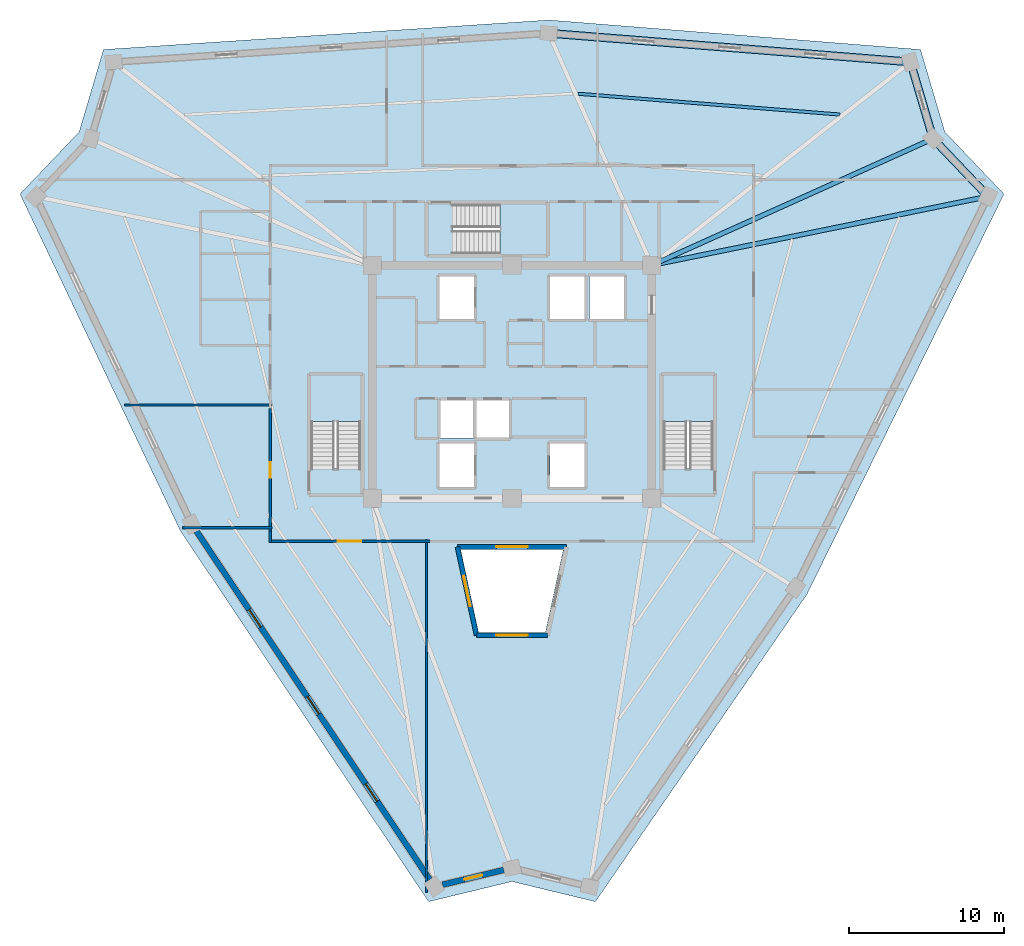
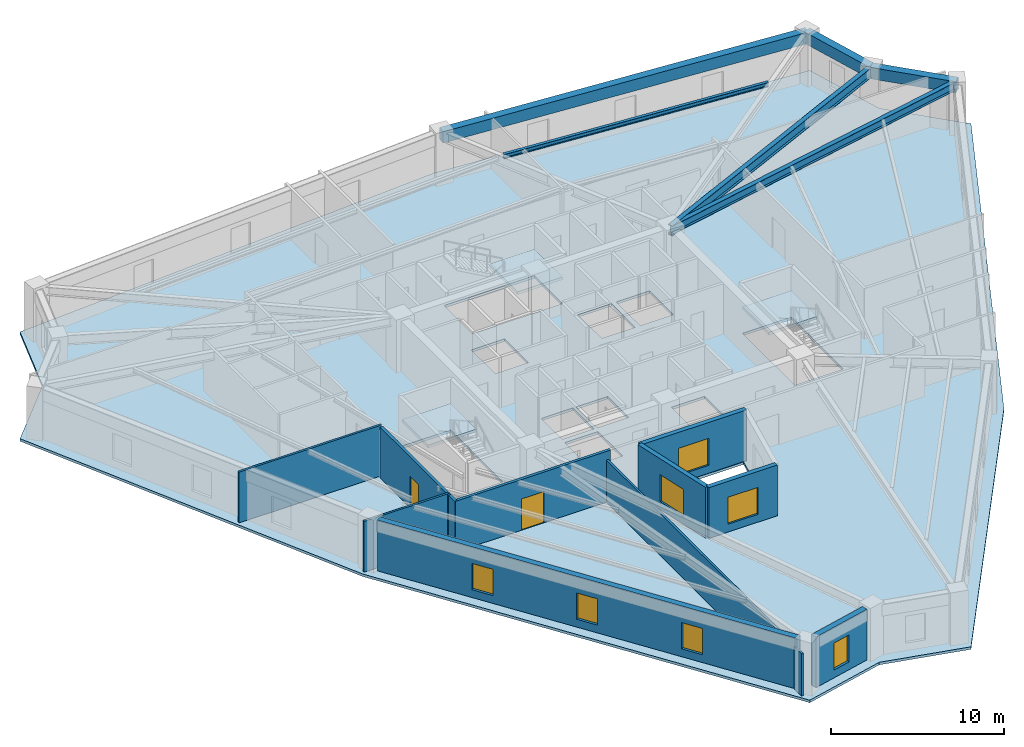
# One storey, part 2 of 8: 11 walls, 7 windows, 6 beams, 4 slabs, 2 doors, 9 openings, 3 elements without a shape of their own.
"""IFC4 building model written with IfcOpenShell, lengths in metres."""

from ifc_helpers import new_model, si_unit, direction, frame, frame_2d, origin, origin_2d, place, context, subcontext, project, spatial, polyline, rectangle, i_section, outline, extrude, source, transform, mapped, material, layer, layer_set, material_profile, profile_set, type_object, element, fill, aggregate, save


model = new_model("IFC4")

# Units and contexts
model_context = context("Model", 3, precision=1e-05, world=origin(), true_north=direction((0.0, 1.0)))
body_context = subcontext(model_context, "Body", "Model", "MODEL_VIEW")
ifc_project = project(units=[si_unit("LENGTHUNIT", "METRE"), si_unit("AREAUNIT", "SQUARE_METRE"), si_unit("VOLUMEUNIT", "CUBIC_METRE"), si_unit("PLANEANGLEUNIT", "RADIAN"), si_unit("MASSUNIT", "GRAM", prefix="KILO")], contexts=[model_context])

# Site, building, storey
site_placement = place(None, origin())
site = spatial("IfcSite", under=ifc_project, at=site_placement, CompositionType="ELEMENT")
building_placement = place(site_placement, origin())
building = spatial("IfcBuilding", under=site, at=building_placement, Name="Liaohun Quay Tower", CompositionType="ELEMENT")
storey_placement = place(building_placement, frame((0.0, 0.0, 290.25)))
storey = spatial("IfcBuildingStorey", under=building, at=storey_placement, Name="L75", CompositionType="ELEMENT", Elevation=290.25)

# Beams
ifc_material_1 = material(Name="Steel Q355D", Category="steel")
ifc_material_profile_1 = material_profile(ifc_material_1, i_section(OverallWidth=0.300048828125, OverallDepth=0.699951171875, WebThickness=0.012939453125, FlangeThickness=0.02392578125, at=origin_2d()), Name="HN700x300x13x24")
ifc_profile_set_1 = profile_set([ifc_material_profile_1], Name="Steel Q355D")
beam_type_1 = type_object("IfcBeamType", Name="BM-RAD-U1", PredefinedType="BEAM", material=ifc_profile_set_1)
shared_shape_1 = source(origin(), body_context, "Body", "SweptSolid", [
    extrude(i_section(OverallWidth=0.300048828125, OverallDepth=0.699951171875, WebThickness=0.012939453125, FlangeThickness=0.02392578125, at=origin_2d()), origin(), (0.0, 0.0, 1.0), 19.843994140625),
])
beam_1_placement = place(storey_placement, frame((69.0, 61.5, 3.219970703125), z_axis=(0.911905160232, 0.410400997491, 0.0), x_axis=(-0.410400997491, 0.911905160232, 0.0)))
element("IfcBeam", 1, at=beam_1_placement, inside=storey, type_object=beam_type_1, Name="L75 Radial Primary Girder CC4-PC08", PredefinedType="BEAM", context=body_context, shape_type="MappedRepresentation", body=[
    mapped(shared_shape_1, transform((0.0, 0.0, 0.0), x_axis=(1.0, 0.0, 0.0), y_axis=(0.0, 1.0, 0.0), z_axis=(0.0, 0.0, 1.0), scale=1.0)),
])
ifc_material_profile_2 = material_profile(ifc_material_1, i_section(OverallWidth=0.300048828125, OverallDepth=0.587890625, WebThickness=0.011962890625, FlangeThickness=0.02001953125, at=origin_2d()), Name="HM588x300x12x20")
ifc_profile_set_2 = profile_set([ifc_material_profile_2], Name="Steel Q355D")
beam_type_2 = type_object("IfcBeamType", Name="BM-RAD-U2", PredefinedType="BEAM", material=ifc_profile_set_2)
shared_shape_2 = source(origin(), body_context, "Body", "SweptSolid", [
    extrude(i_section(OverallWidth=0.300048828125, OverallDepth=0.587890625, WebThickness=0.011962890625, FlangeThickness=0.02001953125, at=origin_2d()), origin(), (0.0, 0.0, 1.0), 22.08447265625),
])
beam_2_placement = place(storey_placement, frame((69.0, 61.5, 3.27587890625), z_axis=(0.979738454823, 0.200281202663, 0.0), x_axis=(-0.200281202663, 0.979738454823, 0.0)))
element("IfcBeam", 2, at=beam_2_placement, inside=storey, type_object=beam_type_2, Name="L75 Radial Primary Girder CC4-PC09", PredefinedType="BEAM", context=body_context, shape_type="MappedRepresentation", body=[
    mapped(shared_shape_2, transform((0.0, 0.0, 0.0), x_axis=(1.0, 0.0, 0.0), y_axis=(0.0, 1.0, 0.0), z_axis=(0.0, 0.0, 1.0), scale=1.0)),
])
ifc_material_profile_3 = material_profile(ifc_material_1, i_section(OverallWidth=0.199951171875, OverallDepth=0.2939453125, WebThickness=0.008056640625, FlangeThickness=0.011962890625, at=origin_2d()), Name="HM294x200x8x12")
ifc_profile_set_3 = profile_set([ifc_material_profile_3], Name="Steel Q355D")
beam_type_3 = type_object("IfcBeamType", Name="BM-SEC-J4", PredefinedType="JOIST", material=ifc_profile_set_3)
shared_shape_3 = source(origin(), body_context, "Body", "SweptSolid", [
    extrude(i_section(OverallWidth=0.199951171875, OverallDepth=0.2939453125, WebThickness=0.008056640625, FlangeThickness=0.011962890625, at=origin_2d()), origin(), (0.0, 0.0, 1.0), 16.889892578125),
])
beam_3_placement = place(storey_placement, frame((64.257080078125, 72.531982421875, 3.423095703125), z_axis=(0.996862351768, -0.079154605856, 0.0), x_axis=(0.079154605856, 0.996862351768, 0.0)))
element("IfcBeam", 3, at=beam_3_placement, inside=storey, type_object=beam_type_3, Name="L75 Wing Secondary Floor Joist SJ-09", PredefinedType="JOIST", context=body_context, shape_type="MappedRepresentation", body=[
    mapped(shared_shape_3, transform((0.0, 0.0, 0.0), x_axis=(1.0, 0.0, 0.0), y_axis=(0.0, 1.0, 0.0), z_axis=(0.0, 0.0, 1.0), scale=1.0)),
])
ifc_material_2 = material(Name="Precast concrete C50", Category="concrete")
ifc_material_profile_4 = material_profile(ifc_material_2, rectangle(XDim=0.5, YDim=0.800048828125, at=origin_2d()), Name="RC500x800")
ifc_profile_set_4 = profile_set([ifc_material_profile_4], Name="Precast concrete C50")
beam_type_4 = type_object("IfcBeamType", Name="BM-SPD-Z4", PredefinedType="SPANDREL", material=ifc_profile_set_4)
shared_shape_4 = source(origin(), body_context, "Body", "SweptSolid", [
    extrude(rectangle(XDim=0.5, YDim=0.800048828125, at=origin_2d()), origin(), (0.0, 0.0, 1.0), 23.354248046875),
])
beam_4_placement = place(storey_placement, frame((62.360107421875, 76.427001953125, 3.169921875), z_axis=(0.99686058787, -0.079176817002, 0.0), x_axis=(0.079176817002, 0.99686058787, 0.0)))
element("IfcBeam", 4, at=beam_4_placement, inside=storey, type_object=beam_type_4, Name="L75 Precast Spandrel Beam PC06-PC07", PredefinedType="SPANDREL", context=body_context, shape_type="MappedRepresentation", body=[
    mapped(shared_shape_4, transform((0.0, 0.0, 0.0), x_axis=(1.0, 0.0, 0.0), y_axis=(0.0, 1.0, 0.0), z_axis=(0.0, 0.0, 1.0), scale=1.0)),
])
shared_shape_5 = source(origin(), body_context, "Body", "SweptSolid", [
    extrude(rectangle(XDim=0.5, YDim=0.800048828125, at=origin_2d()), origin(), (0.0, 0.0, 1.0), 5.143798828125),
])
beam_5_placement = place(storey_placement, frame((85.64111328125, 74.577880859375, 3.169921875), z_axis=(0.282829220503, -0.959170283125, 0.0), x_axis=(0.959170283125, 0.282829220503, 0.0)))
element("IfcBeam", 5, at=beam_5_placement, inside=storey, type_object=beam_type_4, Name="L75 Precast Spandrel Beam PC07-PC08", PredefinedType="SPANDREL", context=body_context, shape_type="MappedRepresentation", body=[
    mapped(shared_shape_5, transform((0.0, 0.0, 0.0), x_axis=(1.0, 0.0, 0.0), y_axis=(0.0, 1.0, 0.0), z_axis=(0.0, 0.0, 1.0), scale=1.0)),
])
shared_shape_6 = source(origin(), body_context, "Body", "SweptSolid", [
    extrude(rectangle(XDim=0.5, YDim=0.800048828125, at=origin_2d()), origin(), (0.0, 0.0, 1.0), 5.136474609375),
])
beam_6_placement = place(storey_placement, frame((87.095947265625, 69.64404296875, 3.169921875), z_axis=(0.689375027306, -0.724404632596, 0.0), x_axis=(0.724404632596, 0.689375027306, 0.0)))
element("IfcBeam", 6, at=beam_6_placement, inside=storey, type_object=beam_type_4, Name="L75 Precast Spandrel Beam PC08-PC09", PredefinedType="SPANDREL", context=body_context, shape_type="MappedRepresentation", body=[
    mapped(shared_shape_6, transform((0.0, 0.0, 0.0), x_axis=(1.0, 0.0, 0.0), y_axis=(0.0, 1.0, 0.0), z_axis=(0.0, 0.0, 1.0), scale=1.0)),
])

# Stair, slab
ifc_material_3 = material(Name="Concrete C45", Category="concrete")
stair_type = type_object("IfcStairType", Name="STR-CORE-OFF", PredefinedType="HALF_TURN_STAIR", material=ifc_material_3)
stair_1_placement = place(storey_placement, origin())
stair_1 = element("IfcStair", 7, at=stair_1_placement, inside=storey, type_object=stair_type, Name="L75 Smokeproof Core Exit Stair ST-1", PredefinedType="HALF_TURN_STAIR")
ifc_layer_1 = layer(ifc_material_3, 0.199951171875, Name="Concrete C45", Category="concrete")
ifc_layer_set_1 = layer_set([ifc_layer_1], Name="Concrete C45")
slab_type_1 = type_object("IfcSlabType", Name="SLB-LND-200", PredefinedType="LANDING", material=ifc_layer_set_1)
slab_1_placement = place(storey_placement, frame((0.0, 0.0, 1.675048828125)))
slab_1 = element("IfcSlab", 8, at=slab_1_placement, type_object=slab_type_1, Name="ST-1 landing 1", PredefinedType="LANDING", context=body_context, shape_type="SweptSolid", body=[
    extrude(outline(polyline([(50.280029296875, 51.429931640625), (50.280029296875, 54.419921875), (47.0400390625, 54.419921875), (47.0400390625, 51.429931640625), (50.280029296875, 51.429931640625)])), origin(), (0.0, 0.0, 1.0), 0.199951171875),
])
aggregate(stair_1, [slab_1])

stair_2_placement = place(storey_placement, origin())
stair_2 = element("IfcStair", 9, at=stair_2_placement, inside=storey, type_object=stair_type, Name="L75 Smokeproof Core Exit Stair ST-2", PredefinedType="HALF_TURN_STAIR")
slab_2_placement = place(storey_placement, frame((0.0, 0.0, 1.675048828125)))
slab_2 = element("IfcSlab", 10, at=slab_2_placement, type_object=slab_type_1, Name="ST-2 landing 1", PredefinedType="LANDING", context=body_context, shape_type="SweptSolid", body=[
    extrude(outline(polyline([(72.9599609375, 51.429931640625), (72.9599609375, 54.419921875), (69.719970703125, 54.419921875), (69.719970703125, 51.429931640625), (72.9599609375, 51.429931640625)])), origin(), (0.0, 0.0, 1.0), 0.199951171875),
])
aggregate(stair_2, [slab_2])

stair_3_placement = place(storey_placement, origin())
stair_3 = element("IfcStair", 11, at=stair_3_placement, inside=storey, type_object=stair_type, Name="L75 Smokeproof Core Exit Stair ST-3", PredefinedType="HALF_TURN_STAIR")
slab_3_placement = place(storey_placement, frame((0.0, 0.0, 1.675048828125)))
slab_3 = element("IfcSlab", 12, at=slab_3_placement, type_object=slab_type_1, Name="ST-3 landing 1", PredefinedType="LANDING", context=body_context, shape_type="SweptSolid", body=[
    extrude(outline(polyline([(59.22998046875, 62.199951171875), (62.219970703125, 62.199951171875), (62.219970703125, 65.43994140625), (59.22998046875, 65.43994140625), (59.22998046875, 62.199951171875)])), origin(), (0.0, 0.0, 1.0), 0.199951171875),
])
aggregate(stair_3, [slab_3])

# Slab
ifc_layer_2 = layer(ifc_material_3, 0.179931640625, Name="Concrete C45", Category="concrete")
ifc_layer_set_2 = layer_set([ifc_layer_2], Name="Concrete C45")
slab_type_2 = type_object("IfcSlabType", Name="SLB-OFF-180", PredefinedType="FLOOR", material=ifc_layer_set_2)
slab_4_placement = place(storey_placement, frame((0.0, 0.0, -0.179931640625)))
element("IfcSlab", 13, at=slab_4_placement, inside=storey, type_object=slab_type_2, Name="L75 Structural Floor Slab", PredefinedType="FLOOR", context=body_context, shape_type="SweptSolid", body=[
    extrude(outline(polyline([(54.631103515625, 20.5419921875), (60.0, 21.837890625), (65.368896484375, 20.5419921875), (78.97705078125, 40.31103515625), (91.660888671875, 66.0791015625), (87.85302734375, 70.0810546875), (86.291015625, 75.37890625), (62.365966796875, 77.279052734375), (33.708984375, 75.37890625), (32.14697265625, 70.0810546875), (28.339111328125, 66.0791015625), (38.656005859375, 44.409912109375), (54.631103515625, 20.5419921875)]), holes=[polyline([(57.56005859375, 50.030029296875), (55.340087890625, 50.030029296875), (55.340087890625, 47.2099609375), (57.56005859375, 47.2099609375), (57.56005859375, 50.030029296875)]), polyline([(47.0400390625, 54.419921875), (47.0400390625, 48.409912109375), (50.280029296875, 48.409912109375), (50.280029296875, 54.419921875), (47.0400390625, 54.419921875)]), polyline([(57.510009765625, 52.81005859375), (55.389892578125, 52.81005859375), (55.389892578125, 50.389892578125), (57.510009765625, 50.389892578125), (57.510009765625, 52.81005859375)]), polyline([(59.81005859375, 50.389892578125), (59.81005859375, 52.81005859375), (57.68994140625, 52.81005859375), (57.68994140625, 50.389892578125), (59.81005859375, 50.389892578125)]), polyline([(57.56005859375, 58.0400390625), (57.56005859375, 60.7900390625), (55.340087890625, 60.7900390625), (55.340087890625, 58.0400390625), (57.56005859375, 58.0400390625)]), polyline([(62.219970703125, 65.43994140625), (56.2099609375, 65.43994140625), (56.2099609375, 62.199951171875), (62.219970703125, 62.199951171875), (62.219970703125, 65.43994140625)]), polyline([(62.14599609375, 37.85498046875), (63.301025390625, 43.199951171875), (56.698974609375, 43.199951171875), (57.85400390625, 37.85498046875), (62.14599609375, 37.85498046875)]), polyline([(64.659912109375, 47.2099609375), (64.659912109375, 50.030029296875), (62.43994140625, 50.030029296875), (62.43994140625, 47.2099609375), (64.659912109375, 47.2099609375)]), polyline([(69.719970703125, 54.419921875), (69.719970703125, 48.409912109375), (72.9599609375, 48.409912109375), (72.9599609375, 54.419921875), (69.719970703125, 54.419921875)]), polyline([(64.659912109375, 58.0400390625), (64.659912109375, 60.7900390625), (62.43994140625, 60.7900390625), (62.43994140625, 58.0400390625), (64.659912109375, 58.0400390625)]), polyline([(67.2099609375, 58.0400390625), (67.2099609375, 60.7900390625), (64.989990234375, 60.7900390625), (64.989990234375, 58.0400390625), (67.2099609375, 58.0400390625)])]), origin(), (0.0, 0.0, 1.0), 0.179931640625),
])

# Wall, opening, window
ifc_material_4 = material(Name="Concrete C50", Category="concrete")
ifc_layer_3 = layer(ifc_material_4, 0.300048828125, Name="Concrete C50", Category="concrete")
ifc_layer_set_3 = layer_set([ifc_layer_3], Name="Concrete C50")
wall_type_1 = type_object("IfcWallType", Name="WAL-ATR-300", PredefinedType="SOLIDWALL", material=ifc_layer_set_3)
wall_1_placement = place(storey_placement, frame((57.717041015625, 37.68505859375, 0.0), z_axis=(0.0, 0.0, 1.0), x_axis=(-0.211300278916, 0.977421194844, 0.0)))
wall_1 = element("IfcWall", 14, at=wall_1_placement, inside=storey, type_object=wall_type_1, Name="L75 Atrium Fire Compartment Wall 1", PredefinedType="SOLIDWALL", context=body_context, shape_type="SweptSolid", body=[
    extrude(rectangle(XDim=5.81640625, YDim=0.300048828125, at=frame_2d((2.908203125, 0.0))), origin(), (0.0, 0.0, 1.0), 3.570068359375),
])
shared_shape_7 = source(origin(), body_context, "Body", "SweptSolid", [
    extrude(rectangle(XDim=2.0, YDim=1.89990234375, at=frame_2d((1.0, 0.949951171875))), frame((0.0, 0.159912109375, 0.0), z_axis=(0.0, -1.0, 0.0), x_axis=(1.0, 0.0, 0.0)), (0.0, 0.0, 1.0), 0.320068359375),
])
opening_1_placement = place(wall_1_placement, frame((1.907958984375, 0.0, 0.550048828125)))
opening_1 = element("IfcOpeningElement", 15, at=opening_1_placement, cuts=wall_1, Name="Opening W07", PredefinedType="OPENING", context=body_context, shape_type="MappedRepresentation", body=[
    mapped(shared_shape_7, transform((0.0, 0.0, 0.0), x_axis=(1.0, 0.0, 0.0), y_axis=(0.0, 1.0, 0.0), z_axis=(0.0, 0.0, 1.0), scale=1.0)),
])
ifc_material_5 = material(Name="Class A 180-min fire-resistant insulated glazing", Category="glass")
window_type_1 = type_object("IfcWindowType", Name="WIN-ATR-FIR", PartitioningType="DOUBLE_PANEL_VERTICAL", PredefinedType="WINDOW", material=ifc_material_5)
shared_shape_8 = source(origin(), body_context, "Body", "SweptSolid", [
    extrude(rectangle(XDim=2.0, YDim=1.89990234375, at=frame_2d((1.0, 0.949951171875))), frame((0.0, 0.030029296875, 0.0), z_axis=(0.0, -1.0, 0.0), x_axis=(1.0, 0.0, 0.0)), (0.0, 0.0, 1.0), 0.06005859375),
])
window_1_placement = place(opening_1_placement, origin())
window_1 = element("IfcWindow", 16, at=window_1_placement, inside=storey, type_object=window_type_1, Name="L75 Atrium Fire-Resistant Glazing W07-1", OverallHeight=1.89990234375, OverallWidth=2.0, PartitioningType="DOUBLE_PANEL_VERTICAL", PredefinedType="WINDOW", context=body_context, shape_type="MappedRepresentation", body=[
    mapped(shared_shape_8, transform((0.0, 0.0, 0.0), x_axis=(1.0, 0.0, 0.0), y_axis=(0.0, 1.0, 0.0), z_axis=(0.0, 0.0, 1.0), scale=1.0)),
])
fill(opening_1, window_1)

wall_2_placement = place(storey_placement, frame((56.488037109375, 43.3701171875, 0.0), z_axis=(0.0, 0.0, 1.0), x_axis=(1.0, 0.0, 0.0)))
wall_2 = element("IfcWall", 17, at=wall_2_placement, inside=storey, type_object=wall_type_1, Name="L75 Atrium Fire Compartment Wall 2", PredefinedType="SOLIDWALL", context=body_context, shape_type="SweptSolid", body=[
    extrude(rectangle(XDim=7.02392578125, YDim=0.300048828125, at=frame_2d((3.511962890625, 0.0))), origin(), (0.0, 0.0, 1.0), 3.570068359375),
])
opening_2_placement = place(wall_2_placement, frame((2.511962890625, 0.0, 0.550048828125)))
opening_2 = element("IfcOpeningElement", 18, at=opening_2_placement, cuts=wall_2, Name="Opening W07", PredefinedType="OPENING", context=body_context, shape_type="MappedRepresentation", body=[
    mapped(shared_shape_7, transform((0.0, 0.0, 0.0), x_axis=(1.0, 0.0, 0.0), y_axis=(0.0, 1.0, 0.0), z_axis=(0.0, 0.0, 1.0), scale=1.0)),
])
window_2_placement = place(opening_2_placement, origin())
window_2 = element("IfcWindow", 19, at=window_2_placement, inside=storey, type_object=window_type_1, Name="L75 Atrium Fire-Resistant Glazing W07-2", OverallHeight=1.89990234375, OverallWidth=2.0, PartitioningType="DOUBLE_PANEL_VERTICAL", PredefinedType="WINDOW", context=body_context, shape_type="MappedRepresentation", body=[
    mapped(shared_shape_8, transform((0.0, 0.0, 0.0), x_axis=(1.0, 0.0, 0.0), y_axis=(0.0, 1.0, 0.0), z_axis=(0.0, 0.0, 1.0), scale=1.0)),
])
fill(opening_2, window_2)

wall_3_placement = place(storey_placement, frame((62.282958984375, 37.68505859375, 0.0), z_axis=(0.0, 0.0, 1.0), x_axis=(-1.0, 0.0, 0.0)))
wall_3 = element("IfcWall", 20, at=wall_3_placement, inside=storey, type_object=wall_type_1, Name="L75 Atrium Fire Compartment Wall 4", PredefinedType="SOLIDWALL", context=body_context, shape_type="SweptSolid", body=[
    extrude(rectangle(XDim=4.56591796875, YDim=0.300048828125, at=frame_2d((2.282958984375, 0.0))), origin(), (0.0, 0.0, 1.0), 3.570068359375),
])
opening_3_placement = place(wall_3_placement, frame((1.282958984375, 0.0, 0.550048828125)))
opening_3 = element("IfcOpeningElement", 21, at=opening_3_placement, cuts=wall_3, Name="Opening W07", PredefinedType="OPENING", context=body_context, shape_type="MappedRepresentation", body=[
    mapped(shared_shape_7, transform((0.0, 0.0, 0.0), x_axis=(1.0, 0.0, 0.0), y_axis=(0.0, 1.0, 0.0), z_axis=(0.0, 0.0, 1.0), scale=1.0)),
])
window_3_placement = place(opening_3_placement, origin())
window_3 = element("IfcWindow", 22, at=window_3_placement, inside=storey, type_object=window_type_1, Name="L75 Atrium Fire-Resistant Glazing W07-4", OverallHeight=1.89990234375, OverallWidth=2.0, PartitioningType="DOUBLE_PANEL_VERTICAL", PredefinedType="WINDOW", context=body_context, shape_type="MappedRepresentation", body=[
    mapped(shared_shape_8, transform((0.0, 0.0, 0.0), x_axis=(1.0, 0.0, 0.0), y_axis=(0.0, 1.0, 0.0), z_axis=(0.0, 0.0, 1.0), scale=1.0)),
])
fill(opening_3, window_3)

# Wall, openings, windows
ifc_material_6 = material(Name="Precast concrete C50 insulated sandwich", Category="concrete")
ifc_layer_4 = layer(ifc_material_6, 0.3798828125, Name="Precast concrete C50 insulated sandwich", Category="concrete")
ifc_layer_set_4 = layer_set([ifc_layer_4], Name="Precast concrete C50 insulated sandwich")
wall_type_2 = type_object("IfcWallType", Name="WAL-EXT-Z34", PredefinedType="SOLIDWALL", material=ifc_layer_set_4)
wall_4_placement = place(storey_placement, frame((39.697021484375, 44.382080078125, 0.0), z_axis=(0.0, 0.0, 1.0), x_axis=(0.556246250685, -0.831017514014, 0.0)))
wall_4 = element("IfcWall", 23, at=wall_4_placement, inside=storey, type_object=wall_type_2, Name="L75 Brutalist Precast Pier Wall 11", PredefinedType="SOLIDWALL", context=body_context, shape_type="SweptSolid", body=[
    extrude(rectangle(XDim=26.986328125, YDim=0.3798828125, at=frame_2d((13.4931640625, 0.0))), origin(), (0.0, 0.0, 1.0), 3.570068359375),
])
shared_shape_9 = source(origin(), body_context, "Body", "SweptSolid", [
    extrude(rectangle(XDim=1.35009765625, YDim=1.85009765625, at=frame_2d((0.675048828125, 0.925048828125))), frame((0.0, 0.199951171875, 0.0), z_axis=(0.0, -1.0, 0.0), x_axis=(1.0, 0.0, 0.0)), (0.0, 0.0, 1.0), 0.39990234375),
])
opening_4_placement = place(wall_4_placement, frame((6.072021484375, 0.0, 0.550048828125)))
opening_4 = element("IfcOpeningElement", 24, at=opening_4_placement, cuts=wall_4, Name="Opening W04", PredefinedType="OPENING", context=body_context, shape_type="MappedRepresentation", body=[
    mapped(shared_shape_9, transform((0.0, 0.0, 0.0), x_axis=(1.0, 0.0, 0.0), y_axis=(0.0, 1.0, 0.0), z_axis=(0.0, 0.0, 1.0), scale=1.0)),
])
opening_5_placement = place(wall_4_placement, frame((12.818115234375, 0.0, 0.550048828125)))
opening_5 = element("IfcOpeningElement", 25, at=opening_5_placement, cuts=wall_4, Name="Opening W04", PredefinedType="OPENING", context=body_context, shape_type="MappedRepresentation", body=[
    mapped(shared_shape_9, transform((0.0, 0.0, 0.0), x_axis=(1.0, 0.0, 0.0), y_axis=(0.0, 1.0, 0.0), z_axis=(0.0, 0.0, 1.0), scale=1.0)),
])
opening_6_placement = place(wall_4_placement, frame((19.56494140625, 0.0, 0.550048828125)))
opening_6 = element("IfcOpeningElement", 26, at=opening_6_placement, cuts=wall_4, Name="Opening W04", PredefinedType="OPENING", context=body_context, shape_type="MappedRepresentation", body=[
    mapped(shared_shape_9, transform((0.0, 0.0, 0.0), x_axis=(1.0, 0.0, 0.0), y_axis=(0.0, 1.0, 0.0), z_axis=(0.0, 0.0, 1.0), scale=1.0)),
])
ifc_material_7 = material(Name="Triple Low-E argon glazing in thermally broken aluminium", Category="aluminium")
window_type_2 = type_object("IfcWindowType", Name="WIN-PUN-Z4", PartitioningType="SINGLE_PANEL", PredefinedType="WINDOW", material=ifc_material_7)
shared_shape_10 = source(origin(), body_context, "Body", "SweptSolid", [
    extrude(rectangle(XDim=1.35009765625, YDim=1.85009765625, at=frame_2d((0.675048828125, 0.925048828125))), frame((0.0, 0.030029296875, 0.0), z_axis=(0.0, -1.0, 0.0), x_axis=(1.0, 0.0, 0.0)), (0.0, 0.0, 1.0), 0.06005859375),
])
window_4_placement = place(opening_4_placement, origin())
window_4 = element("IfcWindow", 27, at=window_4_placement, inside=storey, type_object=window_type_2, Name="L75 Recessed Cold-Climate Punched Window 11-1", OverallHeight=1.85009765625, OverallWidth=1.35009765625, PartitioningType="SINGLE_PANEL", PredefinedType="WINDOW", context=body_context, shape_type="MappedRepresentation", body=[
    mapped(shared_shape_10, transform((0.0, 0.0, 0.0), x_axis=(1.0, 0.0, 0.0), y_axis=(0.0, 1.0, 0.0), z_axis=(0.0, 0.0, 1.0), scale=1.0)),
])
fill(opening_4, window_4)
window_5_placement = place(opening_5_placement, origin())
window_5 = element("IfcWindow", 28, at=window_5_placement, inside=storey, type_object=window_type_2, Name="L75 Recessed Cold-Climate Punched Window 11-2", OverallHeight=1.85009765625, OverallWidth=1.35009765625, PartitioningType="SINGLE_PANEL", PredefinedType="WINDOW", context=body_context, shape_type="MappedRepresentation", body=[
    mapped(shared_shape_10, transform((0.0, 0.0, 0.0), x_axis=(1.0, 0.0, 0.0), y_axis=(0.0, 1.0, 0.0), z_axis=(0.0, 0.0, 1.0), scale=1.0)),
])
fill(opening_5, window_5)
window_6_placement = place(opening_6_placement, origin())
window_6 = element("IfcWindow", 29, at=window_6_placement, inside=storey, type_object=window_type_2, Name="L75 Recessed Cold-Climate Punched Window 11-3", OverallHeight=1.85009765625, OverallWidth=1.35009765625, PartitioningType="SINGLE_PANEL", PredefinedType="WINDOW", context=body_context, shape_type="MappedRepresentation", body=[
    mapped(shared_shape_10, transform((0.0, 0.0, 0.0), x_axis=(1.0, 0.0, 0.0), y_axis=(0.0, 1.0, 0.0), z_axis=(0.0, 0.0, 1.0), scale=1.0)),
])
fill(opening_6, window_6)

# Wall, opening, window
wall_5_placement = place(storey_placement, frame((55.532958984375, 21.634033203125, 0.0), z_axis=(0.0, 0.0, 1.0), x_axis=(0.972117237932, 0.234495363953, 0.0)))
wall_5 = element("IfcWall", 30, at=wall_5_placement, inside=storey, type_object=wall_type_2, Name="L75 Brutalist Precast Pier Wall 12", PredefinedType="SOLIDWALL", context=body_context, shape_type="SweptSolid", body=[
    extrude(rectangle(XDim=4.05517578125, YDim=0.3798828125, at=frame_2d((2.027587890625, 0.0))), origin(), (0.0, 0.0, 1.0), 3.570068359375),
])
shared_shape_11 = source(origin(), body_context, "Body", "SweptSolid", [
    extrude(rectangle(XDim=1.199951171875, YDim=1.89990234375, at=frame_2d((0.60009765625, 0.949951171875))), frame((0.0, 0.199951171875, 0.0), z_axis=(0.0, -1.0, 0.0), x_axis=(1.0, 0.0, 0.0)), (0.0, 0.0, 1.0), 0.39990234375),
])
opening_7_placement = place(wall_5_placement, frame((1.427978515625, 0.0, 0.550048828125)))
opening_7 = element("IfcOpeningElement", 31, at=opening_7_placement, cuts=wall_5, Name="Opening W05", PredefinedType="OPENING", context=body_context, shape_type="MappedRepresentation", body=[
    mapped(shared_shape_11, transform((0.0, 0.0, 0.0), x_axis=(1.0, 0.0, 0.0), y_axis=(0.0, 1.0, 0.0), z_axis=(0.0, 0.0, 1.0), scale=1.0)),
])
ifc_material_8 = material(Name="Triple Low-E corner notch glazing", Category="glass")
window_type_3 = type_object("IfcWindowType", Name="WIN-NOTCH", PartitioningType="SINGLE_PANEL", PredefinedType="WINDOW", material=ifc_material_8)
shared_shape_12 = source(origin(), body_context, "Body", "SweptSolid", [
    extrude(rectangle(XDim=1.199951171875, YDim=1.89990234375, at=frame_2d((0.60009765625, 0.949951171875))), frame((0.0, 0.030029296875, 0.0), z_axis=(0.0, -1.0, 0.0), x_axis=(1.0, 0.0, 0.0)), (0.0, 0.0, 1.0), 0.06005859375),
])
window_7_placement = place(opening_7_placement, origin())
window_7 = element("IfcWindow", 32, at=window_7_placement, inside=storey, type_object=window_type_3, Name="L75 Corner Notch Window W05-12", OverallHeight=1.89990234375, OverallWidth=1.199951171875, PartitioningType="SINGLE_PANEL", PredefinedType="WINDOW", context=body_context, shape_type="MappedRepresentation", body=[
    mapped(shared_shape_12, transform((0.0, 0.0, 0.0), x_axis=(1.0, 0.0, 0.0), y_axis=(0.0, 1.0, 0.0), z_axis=(0.0, 0.0, 1.0), scale=1.0)),
])
fill(opening_7, window_7)

# Wall, opening, door
ifc_material_9 = material(Name="Autoclaved aerated concrete blockwork", Category="masonry")
ifc_layer_5 = layer(ifc_material_9, 0.179931640625, Name="Autoclaved aerated concrete blockwork", Category="masonry")
ifc_layer_set_5 = layer_set([ifc_layer_5], Name="Autoclaved aerated concrete blockwork")
wall_type_3 = type_object("IfcWallType", Name="WAL-PRT-COR", PredefinedType="PARTITIONING", material=ifc_layer_set_5)
wall_6_placement = place(storey_placement, frame((44.43994140625, 44.385009765625, 0.0), z_axis=(0.0, 0.0, 1.0), x_axis=(0.0, 1.0, 0.0)))
wall_6 = element("IfcWall", 33, at=wall_6_placement, inside=storey, type_object=wall_type_3, Name="L75 Interior Partition Wall 024", PredefinedType="PARTITIONING", context=body_context, shape_type="SweptSolid", body=[
    extrude(rectangle(XDim=7.89990234375, YDim=0.179931640625, at=frame_2d((3.949951171875, 0.0))), origin(), (0.0, 0.0, 1.0), 3.570068359375),
])
shared_shape_13 = source(origin(), body_context, "Body", "SweptSolid", [
    extrude(rectangle(XDim=1.0, YDim=2.199951171875, at=frame_2d((0.5, 1.10009765625))), frame((0.0, 0.099853515625, 0.0), z_axis=(0.0, -1.0, 0.0), x_axis=(1.0, 0.0, 0.0)), (0.0, 0.0, 1.0), 0.199951171875),
])
opening_8_placement = place(wall_6_placement, frame((3.449951171875, 0.0, 0.0)))
opening_8 = element("IfcOpeningElement", 34, at=opening_8_placement, cuts=wall_6, Name="Opening OD1", PredefinedType="OPENING", context=body_context, shape_type="MappedRepresentation", body=[
    mapped(shared_shape_13, transform((0.0, 0.0, 0.0), x_axis=(1.0, 0.0, 0.0), y_axis=(0.0, 1.0, 0.0), z_axis=(0.0, 0.0, 1.0), scale=1.0)),
])
ifc_material_10 = material(Name="Solid-core oak veneer timber leaf in steel frame", Category="steel")
door_type_1 = type_object("IfcDoorType", Name="DOR-OFF-1000", OperationType="NOTDEFINED", PredefinedType="DOOR", material=ifc_material_10)
shared_shape_14 = source(origin(), body_context, "Body", "SweptSolid", [
    extrude(rectangle(XDim=1.0, YDim=2.199951171875, at=frame_2d((0.5, 1.10009765625))), frame((0.0, 0.02490234375, 0.0), z_axis=(0.0, -1.0, 0.0), x_axis=(1.0, 0.0, 0.0)), (0.0, 0.0, 1.0), 0.050048828125),
])
door_1_placement = place(opening_8_placement, origin())
door_1 = element("IfcDoor", 35, at=door_1_placement, inside=storey, type_object=door_type_1, Name="L75 Staff Tea Kitchen and Pantry 06 Door", OperationType="SINGLE_SWING_RIGHT", OverallHeight=2.199951171875, OverallWidth=1.0, PredefinedType="DOOR", context=body_context, shape_type="MappedRepresentation", body=[
    mapped(shared_shape_14, transform((0.0, 0.0, 0.0), x_axis=(1.0, 0.0, 0.0), y_axis=(0.0, 1.0, 0.0), z_axis=(0.0, 0.0, 1.0), scale=1.0)),
])
fill(opening_8, door_1)

wall_7_placement = place(storey_placement, frame((54.715087890625, 43.739990234375, 0.0), z_axis=(0.0, 0.0, 1.0), x_axis=(-1.0, 0.0, 0.0)))
wall_7 = element("IfcWall", 36, at=wall_7_placement, inside=storey, type_object=wall_type_3, Name="L75 Interior Partition Wall 025", PredefinedType="PARTITIONING", context=body_context, shape_type="SweptSolid", body=[
    extrude(rectangle(XDim=10.344970703125, YDim=0.179931640625, at=frame_2d((5.17236328125, 0.0))), origin(), (0.0, 0.0, 1.0), 3.570068359375),
])
shared_shape_15 = source(origin(), body_context, "Body", "SweptSolid", [
    extrude(rectangle(XDim=1.5, YDim=2.199951171875, at=frame_2d((0.75, 1.10009765625))), frame((0.0, 0.099853515625, 0.0), z_axis=(0.0, -1.0, 0.0), x_axis=(1.0, 0.0, 0.0)), (0.0, 0.0, 1.0), 0.199951171875),
])
opening_9_placement = place(wall_7_placement, frame((4.423095703125, 0.0, 0.0)))
opening_9 = element("IfcOpeningElement", 37, at=opening_9_placement, cuts=wall_7, Name="Opening OD2", PredefinedType="OPENING", context=body_context, shape_type="MappedRepresentation", body=[
    mapped(shared_shape_15, transform((0.0, 0.0, 0.0), x_axis=(1.0, 0.0, 0.0), y_axis=(0.0, 1.0, 0.0), z_axis=(0.0, 0.0, 1.0), scale=1.0)),
])
ifc_material_11 = material(Name="Acoustic oak veneer double door")
door_type_2 = type_object("IfcDoorType", Name="DOR-OFF-1500", OperationType="DOUBLE_DOOR_SINGLE_SWING", PredefinedType="DOOR", material=ifc_material_11)
shared_shape_16 = source(origin(), body_context, "Body", "SweptSolid", [
    extrude(rectangle(XDim=1.5, YDim=2.199951171875, at=frame_2d((0.75, 1.10009765625))), frame((0.0, 0.02490234375, 0.0), z_axis=(0.0, -1.0, 0.0), x_axis=(1.0, 0.0, 0.0)), (0.0, 0.0, 1.0), 0.050048828125),
])
door_2_placement = place(opening_9_placement, origin())
door_2 = element("IfcDoor", 38, at=door_2_placement, inside=storey, type_object=door_type_2, Name="L75 Engineering Model Workshop 07 Door", OperationType="DOUBLE_DOOR_SINGLE_SWING", OverallHeight=2.199951171875, OverallWidth=1.5, PredefinedType="DOOR", context=body_context, shape_type="MappedRepresentation", body=[
    mapped(shared_shape_16, transform((0.0, 0.0, 0.0), x_axis=(1.0, 0.0, 0.0), y_axis=(0.0, 1.0, 0.0), z_axis=(0.0, 0.0, 1.0), scale=1.0)),
])
fill(opening_9, door_2)

# Walls
wall_8_placement = place(storey_placement, frame((44.43994140625, 43.669921875, 0.0), z_axis=(0.0, 0.0, 1.0), x_axis=(0.0, 1.0, 0.0)))
element("IfcWall", 39, at=wall_8_placement, inside=storey, type_object=wall_type_3, Name="L75 Interior Partition Wall 051", PredefinedType="PARTITIONING", context=body_context, shape_type="SweptSolid", body=[
    extrude(rectangle(XDim=0.715087890625, YDim=0.179931640625, at=frame_2d((0.357421875, 0.0))), origin(), (0.0, 0.0, 1.0), 3.570068359375),
])
ifc_material_12 = material(Name="Gypsum board on twin steel studs", Category="steel")
ifc_layer_6 = layer(ifc_material_12, 0.139892578125, Name="Gypsum board on twin steel studs", Category="steel")
ifc_layer_set_6 = layer_set([ifc_layer_6], Name="Gypsum board on twin steel studs")
wall_type_4 = type_object("IfcWallType", Name="WAL-PRT-OFF", PredefinedType="PARTITIONING", material=ifc_layer_set_6)
wall_9_placement = place(storey_placement, frame((44.5400390625, 44.60009765625, 0.0), z_axis=(0.0, 0.0, 1.0), x_axis=(-1.0, 0.0, 0.0)))
element("IfcWall", 40, at=wall_9_placement, inside=storey, type_object=wall_type_4, Name="L75 Interior Partition Wall 055", PredefinedType="PARTITIONING", context=body_context, shape_type="SweptSolid", body=[
    extrude(rectangle(XDim=5.73095703125, YDim=0.139892578125, at=frame_2d((2.865478515625, 0.0))), origin(), (0.0, 0.0, 1.0), 3.570068359375),
])
wall_10_placement = place(storey_placement, frame((44.5400390625, 52.5, 0.0), z_axis=(0.0, 0.0, 1.0), x_axis=(-1.0, 0.0, 0.0)))
element("IfcWall", 41, at=wall_10_placement, inside=storey, type_object=wall_type_4, Name="L75 Interior Partition Wall 056", PredefinedType="PARTITIONING", context=body_context, shape_type="SweptSolid", body=[
    extrude(rectangle(XDim=9.491943359375, YDim=0.139892578125, at=frame_2d((4.74609375, 0.0))), origin(), (0.0, 0.0, 1.0), 3.570068359375),
])
wall_11_placement = place(storey_placement, frame((54.5, 43.840087890625, 0.0), z_axis=(0.0, 0.0, 1.0), x_axis=(0.0, -1.0, 0.0)))
element("IfcWall", 42, at=wall_11_placement, inside=storey, type_object=wall_type_4, Name="L75 Interior Partition Wall 062", PredefinedType="PARTITIONING", context=body_context, shape_type="SweptSolid", body=[
    extrude(rectangle(XDim=22.70703125, YDim=0.139892578125, at=frame_2d((11.353515625, 0.0))), origin(), (0.0, 0.0, 1.0), 2.967041015625),
])

save(model, "model.ifc")
